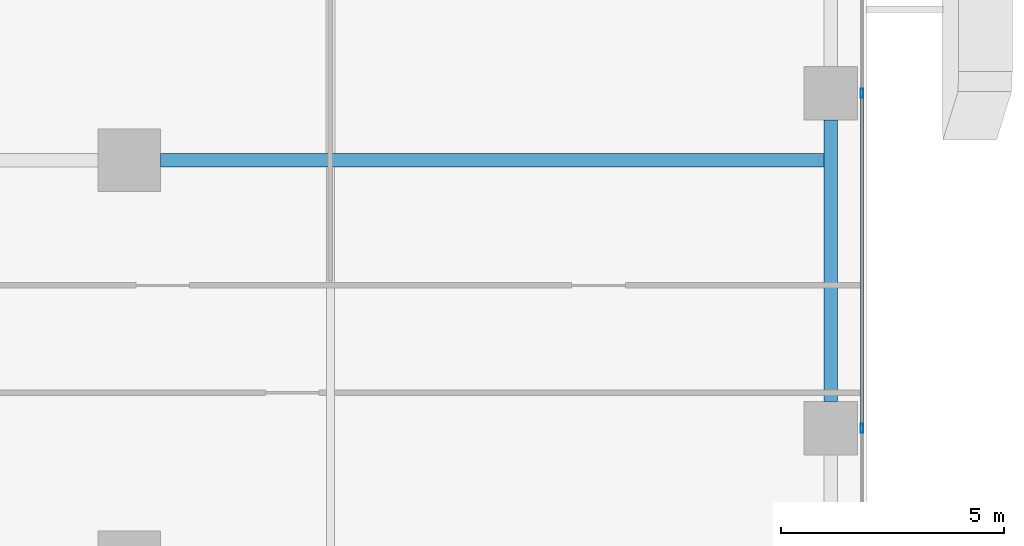
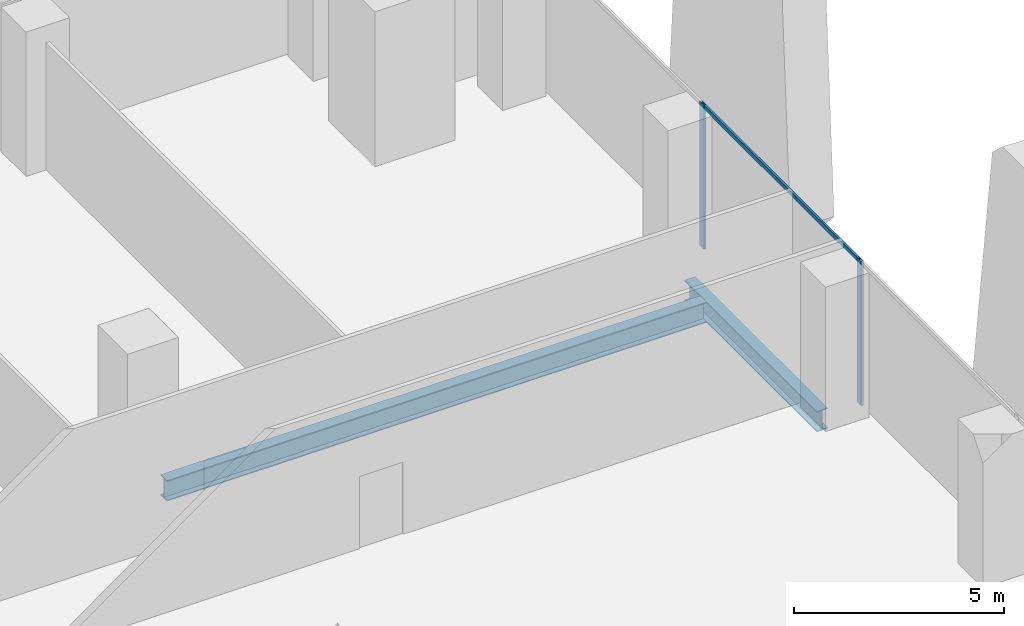
# One storey, part 17 of 34: 3 members, 2 beams, 1 element without a shape of its own.
"""IFC4 building model written with IfcOpenShell, lengths in metres."""

from ifc_helpers import new_model, si_unit, direction, frame, origin, origin_2d, place, context, subcontext, project, spatial, hollow_rectangle, i_section, extrude, source, transform, mapped, material, material_profile, profile_set, type_object, element, aggregate, save


model = new_model("IFC4")

# Units and contexts
model_context = context("Model", 3, precision=1e-05, world=origin(), true_north=direction((0.0, 1.0)))
body_context = subcontext(model_context, "Body", "Model", "MODEL_VIEW")
ifc_project = project(units=[si_unit("LENGTHUNIT", "METRE"), si_unit("AREAUNIT", "SQUARE_METRE"), si_unit("VOLUMEUNIT", "CUBIC_METRE"), si_unit("PLANEANGLEUNIT", "RADIAN"), si_unit("MASSUNIT", "GRAM", prefix="KILO")], contexts=[model_context])

# Site, building, storey
site_placement = place(None, origin())
site = spatial("IfcSite", under=ifc_project, at=site_placement, CompositionType="ELEMENT")
building_placement = place(site_placement, origin())
building = spatial("IfcBuilding", under=site, at=building_placement, Name="Khomas Fold Tower", CompositionType="ELEMENT")
storey_placement = place(building_placement, frame((0.0, 0.0, 51.0)))
storey = spatial("IfcBuildingStorey", under=building, at=storey_placement, Name="L10", CompositionType="ELEMENT", Elevation=51.0)

# Beams
ifc_material_1 = material(Name="Steel S355", Category="steel")
ifc_material_profile_1 = material_profile(ifc_material_1, i_section(OverallWidth=0.300048828125, OverallDepth=0.60009765625, WebThickness=0.015380859375, FlangeThickness=0.030029296875, at=origin_2d()), Name="HE 600 B")
ifc_profile_set_1 = profile_set([ifc_material_profile_1], Name="Steel S355")
beam_type_1 = type_object("IfcBeamType", Name="HE 600 B spandrel SB1", PredefinedType="SPANDREL", material=ifc_profile_set_1)
shared_shape_1 = source(origin(), body_context, "Body", "SweptSolid", [
    extrude(i_section(OverallWidth=0.300048828125, OverallDepth=0.60009765625, WebThickness=0.015380859375, FlangeThickness=0.030029296875, at=origin_2d()), origin(), (0.0, 0.0, 1.0), 6.2998046875),
])
beam_1_placement = place(storey_placement, frame((53.199951171875, 35.10009765625, -0.60009765625), z_axis=(0.0, 1.0, 0.0), x_axis=(-1.0, 0.0, 0.0)))
element("IfcBeam", 1, at=beam_1_placement, inside=storey, type_object=beam_type_1, Name="SB1", PredefinedType="SPANDREL", context=body_context, shape_type="MappedRepresentation", body=[
    mapped(shared_shape_1, transform((0.0, 0.0, 0.0))),
])
ifc_material_2 = material(Name="Steel S355", Category="steel")
ifc_material_profile_2 = material_profile(ifc_material_2, i_section(OverallWidth=0.300048828125, OverallDepth=0.60009765625, WebThickness=0.015380859375, FlangeThickness=0.030029296875, at=origin_2d()), Name="HE 600 B")
ifc_profile_set_2 = profile_set([ifc_material_profile_2], Name="Steel S355")
beam_type_2 = type_object("IfcBeamType", Name="HE 600 B beam GB5", PredefinedType="BEAM", material=ifc_profile_set_2)
shared_shape_2 = source(origin(), body_context, "Body", "SweptSolid", [
    extrude(i_section(OverallWidth=0.300048828125, OverallDepth=0.60009765625, WebThickness=0.015380859375, FlangeThickness=0.030029296875, at=origin_2d()), origin(), (0.0, 0.0, 1.0), 14.85009765625),
])
beam_2_placement = place(storey_placement, frame((38.199951171875, 40.5, -0.60009765625), z_axis=(1.0, 0.0, 0.0), x_axis=(0.0, 1.0, 0.0)))
element("IfcBeam", 2, at=beam_2_placement, inside=storey, type_object=beam_type_2, Name="GB5", PredefinedType="BEAM", context=body_context, shape_type="MappedRepresentation", body=[
    mapped(shared_shape_2, transform((0.0, 0.0, 0.0))),
])

# Curtain wall, members
ifc_material_3 = material(Name="Aluminium framed double glazing", Category="aluminium")
curtain_wall_type = type_object("IfcCurtainWallType", Name="SK-Unitised clear-glass wall, growing floors CW1", PredefinedType="NOTDEFINED", material=ifc_material_3)
curtain_wall_placement = place(storey_placement, origin())
curtain_wall = element("IfcCurtainWall", 3, at=curtain_wall_placement, inside=storey, type_object=curtain_wall_type, Name="CW1 run L10 03-0", PredefinedType="NOTDEFINED")
ifc_material_4 = material(Name="Aluminium", Category="aluminium")
ifc_material_profile_3 = material_profile(ifc_material_4, hollow_rectangle(XDim=0.06005859375, YDim=0.1201171875, WallThickness=0.00390625, at=origin_2d()), Name="SK-Unitised clear-glass wall, growing floors transom CW1-T")
ifc_profile_set_3 = profile_set([ifc_material_profile_3], Name="Aluminium")
member_type_1 = type_object("IfcMemberType", Name="SK-Unitised clear-glass wall, growing floors transom CW1-T", PredefinedType="USERDEFINED", material=ifc_profile_set_3)
shared_shape_3 = source(origin(), body_context, "Body", "SweptSolid", [
    extrude(hollow_rectangle(XDim=0.06005859375, YDim=0.1201171875, WallThickness=0.00390625, at=origin_2d()), origin(), (0.0, 0.0, 1.0), 7.43994140625),
])
member_1_placement = place(storey_placement, frame((53.89990234375, 34.530029296875, 4.139892578125), z_axis=(0.0, 1.0, 0.0), x_axis=(-1.0, 0.0, 0.0)))
member_1 = element("IfcMember", 4, at=member_1_placement, type_object=member_type_1, Name="CW1 transom 6", ObjectType="TRANSOM", PredefinedType="USERDEFINED", context=body_context, shape_type="MappedRepresentation", body=[
    mapped(shared_shape_3, transform((0.0, 0.0, 0.0))),
])
ifc_material_5 = material(Name="Aluminium", Category="aluminium")
ifc_material_profile_4 = material_profile(ifc_material_5, hollow_rectangle(XDim=0.06005859375, YDim=0.199951171875, WallThickness=0.00390625, at=origin_2d()), Name="SK-Unitised clear-glass wall, growing floors mullion CW1-M")
ifc_profile_set_4 = profile_set([ifc_material_profile_4], Name="Aluminium")
member_type_2 = type_object("IfcMemberType", Name="SK-Unitised clear-glass wall, growing floors mullion CW1-M", PredefinedType="MULLION", material=ifc_profile_set_4)
shared_shape_4 = source(origin(), body_context, "Body", "SweptSolid", [
    extrude(hollow_rectangle(XDim=0.06005859375, YDim=0.199951171875, WallThickness=0.00390625, at=origin_2d()), origin(), (0.0, 0.0, 1.0), 4.199951171875),
])
member_2_placement = place(storey_placement, frame((53.89990234375, 34.5, 0.0), z_axis=(0.0, 0.0, 1.0), x_axis=(-1.0, 0.0, 0.0)))
member_2 = element("IfcMember", 5, at=member_2_placement, type_object=member_type_2, Name="CW1 mullion 6", PredefinedType="MULLION", context=body_context, shape_type="MappedRepresentation", body=[
    mapped(shared_shape_4, transform((0.0, 0.0, 0.0))),
])
member_3_placement = place(storey_placement, frame((53.89990234375, 42.0, 0.0), z_axis=(0.0, 0.0, 1.0), x_axis=(-1.0, 0.0, 0.0)))
member_3 = element("IfcMember", 6, at=member_3_placement, type_object=member_type_2, Name="CW1 mullion 7", PredefinedType="MULLION", context=body_context, shape_type="MappedRepresentation", body=[
    mapped(shared_shape_4, transform((0.0, 0.0, 0.0))),
])
aggregate(curtain_wall, [member_2, member_3, member_1])

save(model, "model.ifc")
